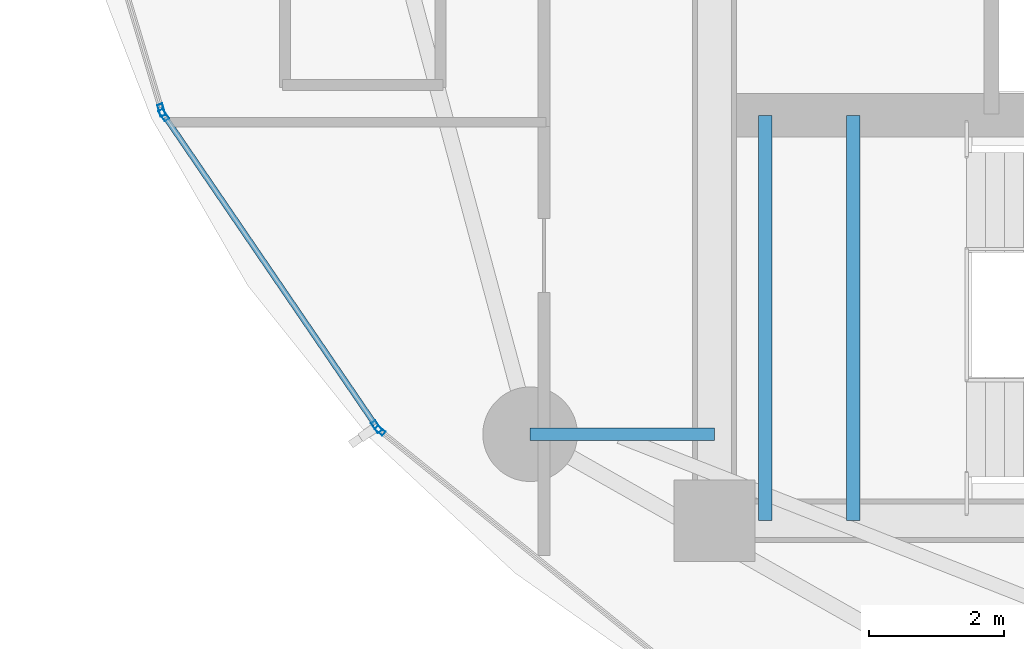
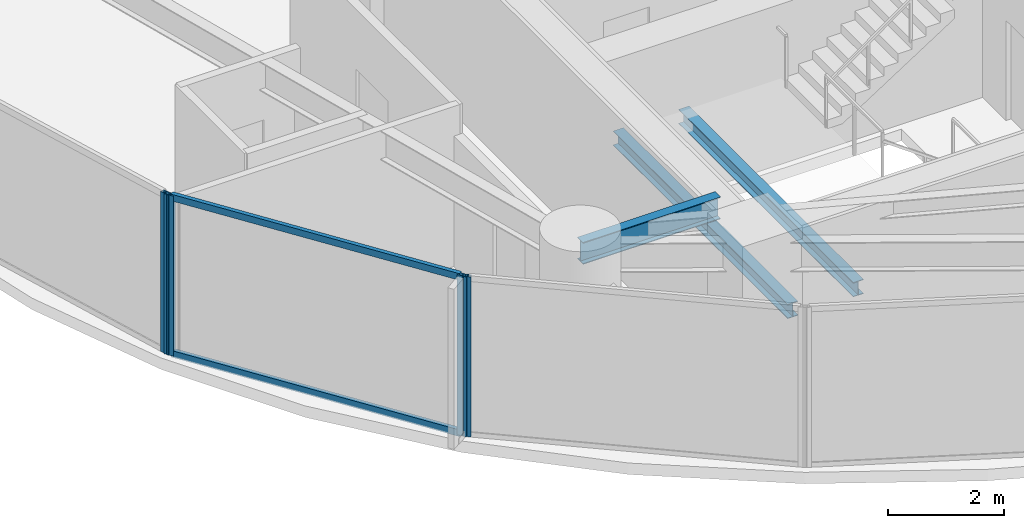
# One storey, part 3 of 30: 6 members, 3 beams, 3 elements without a shape of their own.
"""IFC4 building model written with IfcOpenShell, lengths in metres."""

from ifc_helpers import new_model, si_unit, direction, frame, origin, origin_2d, place, context, subcontext, project, spatial, hollow_rectangle, i_section, extrude, material, layer, layer_set, material_profile, profile_set, type_object, element, aggregate, save


model = new_model("IFC4")

# Units and contexts
model_context = context("Model", 3, precision=1e-05, world=origin(), true_north=direction((0.0, 1.0)))
body_context = subcontext(model_context, "Body", "Model", "MODEL_VIEW")
ifc_project = project(units=[si_unit("LENGTHUNIT", "METRE"), si_unit("AREAUNIT", "SQUARE_METRE"), si_unit("VOLUMEUNIT", "CUBIC_METRE"), si_unit("PLANEANGLEUNIT", "RADIAN"), si_unit("MASSUNIT", "GRAM", prefix="KILO")], contexts=[model_context])

# Site, building, storey
site_placement = place(None, origin())
site = spatial("IfcSite", under=ifc_project, at=site_placement, CompositionType="ELEMENT")
building_placement = place(site_placement, origin())
building = spatial("IfcBuilding", under=site, at=building_placement, Name="Kazevale Care Tower and Concert Hall", CompositionType="ELEMENT")
storey_placement = place(building_placement, frame((0.0, 0.0, 74.39990234375)))
storey = spatial("IfcBuildingStorey", under=building, at=storey_placement, Name="L19", CompositionType="ELEMENT", Elevation=74.39990234375)

# Curtain wall, members
ifc_material_1 = material(Name="Aluminium 6063-T6 and Low-E Glass", Category="aluminium")
ifc_layer_1 = layer(ifc_material_1, 0.179931640625)
ifc_layer_set_1 = layer_set([ifc_layer_1], Name="Aluminium 6063-T6 and Low-E Glass")
curtain_wall_type_1 = type_object("IfcCurtainWallType", Name="Waist & Upper Residential Curtain Wall CW-4", PredefinedType="NOTDEFINED", material=ifc_layer_set_1)
curtain_wall_1_placement = place(storey_placement, origin())
curtain_wall_1 = element("IfcCurtainWall", 1, at=curtain_wall_1_placement, inside=storey, type_object=curtain_wall_type_1, Name="cw:L19:f11", PredefinedType="NOTDEFINED")
ifc_material_2 = material(Name="Aluminium 6063-T6", Category="aluminium")
ifc_material_profile_1 = material_profile(ifc_material_2, hollow_rectangle(XDim=0.080078125, YDim=0.179931640625, WallThickness=0.0048828125, at=origin_2d()), Name="ALU80x180x5")
ifc_profile_set_1 = profile_set([ifc_material_profile_1], Name="Aluminium 6063-T6")
member_type_1 = type_object("IfcMemberType", Name="CW-4 Mullion ALU80x180x5", PredefinedType="MULLION", material=ifc_profile_set_1)
member_1_placement = place(storey_placement, frame((16.99853515625, 24.989990234375, 0.0), z_axis=(0.0, 0.0, 1.0), x_axis=(-0.826003329789, -0.563665236801, 0.0)))
member_1 = element("IfcMember", 2, at=member_1_placement, type_object=member_type_1, Name="CW-4 mullion 1", PredefinedType="MULLION", context=body_context, shape_type="SweptSolid", body=[
    extrude(hollow_rectangle(XDim=0.080078125, YDim=0.179931640625, WallThickness=0.0048828125, at=origin_2d()), origin(), (0.0, 0.0, 1.0), 3.360107421875),
])
member_2_placement = place(storey_placement, frame((13.8486328125, 29.60595703125, 0.0), z_axis=(0.0, 0.0, 1.0), x_axis=(-0.826003329789, -0.563665236801, 0.0)))
member_2 = element("IfcMember", 3, at=member_2_placement, type_object=member_type_1, Name="CW-4 mullion 2", PredefinedType="MULLION", context=body_context, shape_type="SweptSolid", body=[
    extrude(hollow_rectangle(XDim=0.080078125, YDim=0.179931640625, WallThickness=0.0048828125, at=origin_2d()), origin(), (0.0, 0.0, 1.0), 3.360107421875),
])

# Curtain wall, member
curtain_wall_2_placement = place(storey_placement, origin())
curtain_wall_2 = element("IfcCurtainWall", 4, at=curtain_wall_2_placement, inside=storey, type_object=curtain_wall_type_1, Name="cw:L19:f12", PredefinedType="NOTDEFINED")
member_3_placement = place(storey_placement, frame((13.814453125, 29.67724609375, 0.0), z_axis=(0.0, 0.0, 1.0), x_axis=(-0.957661755703, -0.287895747909, 0.0)))
member_3 = element("IfcMember", 5, at=member_3_placement, type_object=member_type_1, Name="CW-4 mullion 1", PredefinedType="MULLION", context=body_context, shape_type="SweptSolid", body=[
    extrude(hollow_rectangle(XDim=0.080078125, YDim=0.179931640625, WallThickness=0.0048828125, at=origin_2d()), origin(), (0.0, 0.0, 1.0), 3.360107421875),
])
aggregate(curtain_wall_2, [member_3])

# Member
ifc_material_profile_2 = material_profile(ifc_material_2, hollow_rectangle(XDim=0.080078125, YDim=0.139892578125, WallThickness=0.00390625, at=origin_2d()), Name="ALU80x140x4")
ifc_profile_set_2 = profile_set([ifc_material_profile_2], Name="Aluminium 6063-T6")
member_type_2 = type_object("IfcMemberType", Name="CW-4 Transom ALU80x140x4", PredefinedType="USERDEFINED", material=ifc_profile_set_2)
member_4_placement = place(storey_placement, frame((16.975830078125, 25.023193359375, 0.0400390625), z_axis=(-0.56365860987, 0.826007851972, 0.0), x_axis=(-0.826007851972, -0.56365860987, 0.0)))
member_4 = element("IfcMember", 6, at=member_4_placement, type_object=member_type_2, Name="CW-4 transom 1.1", ObjectType="TRANSOM", PredefinedType="USERDEFINED", context=body_context, shape_type="SweptSolid", body=[
    extrude(hollow_rectangle(XDim=0.080078125, YDim=0.139892578125, WallThickness=0.00390625, at=origin_2d()), origin(), (0.0, 0.0, 1.0), 5.50830078125),
])

member_5_placement = place(storey_placement, frame((16.975830078125, 25.023193359375, 3.320068359375), z_axis=(-0.56365860987, 0.826007851972, 0.0), x_axis=(-0.826007851972, -0.56365860987, 0.0)))
member_5 = element("IfcMember", 7, at=member_5_placement, type_object=member_type_2, Name="CW-4 transom 1.2", ObjectType="TRANSOM", PredefinedType="USERDEFINED", context=body_context, shape_type="SweptSolid", body=[
    extrude(hollow_rectangle(XDim=0.080078125, YDim=0.139892578125, WallThickness=0.00390625, at=origin_2d()), origin(), (0.0, 0.0, 1.0), 5.50830078125),
])

aggregate(curtain_wall_1, [member_1, member_2, member_4, member_5])

# Curtain wall, member
ifc_layer_2 = layer(ifc_material_1, 0.179931640625)
ifc_layer_set_2 = layer_set([ifc_layer_2], Name="Aluminium 6063-T6 and Low-E Glass")
curtain_wall_type_2 = type_object("IfcCurtainWallType", Name="Sheltered Concave Balcony Curtain Wall CW-5", PredefinedType="NOTDEFINED", material=ifc_layer_set_2)
curtain_wall_3_placement = place(storey_placement, origin())
curtain_wall_3 = element("IfcCurtainWall", 8, at=curtain_wall_3_placement, inside=storey, type_object=curtain_wall_type_2, Name="cw:L19:f10", PredefinedType="NOTDEFINED")
ifc_material_profile_3 = material_profile(ifc_material_2, hollow_rectangle(XDim=0.074951171875, YDim=0.14990234375, WallThickness=0.00390625, at=origin_2d()), Name="ALU75x150x4")
ifc_profile_set_3 = profile_set([ifc_material_profile_3], Name="Aluminium 6063-T6")
member_type_3 = type_object("IfcMemberType", Name="CW-5 Mullion ALU75x150x4", PredefinedType="MULLION", material=ifc_profile_set_3)
member_6_placement = place(storey_placement, frame((17.050048828125, 24.933349609375, 0.0), z_axis=(0.0, 0.0, 1.0), x_axis=(-0.629994732952, -0.77659940539, 0.0)))
member_6 = element("IfcMember", 9, at=member_6_placement, type_object=member_type_3, Name="CW-5 mullion 2", PredefinedType="MULLION", context=body_context, shape_type="SweptSolid", body=[
    extrude(hollow_rectangle(XDim=0.074951171875, YDim=0.14990234375, WallThickness=0.00390625, at=origin_2d()), origin(), (0.0, 0.0, 1.0), 3.360107421875),
])
aggregate(curtain_wall_3, [member_6])

# Beams
ifc_material_3 = material(Name="Steel ASTM A572 Gr 50", Category="steel")
ifc_material_profile_4 = material_profile(ifc_material_3, i_section(OverallWidth=0.19091796875, OverallDepth=0.4599609375, WebThickness=0.010009765625, FlangeThickness=0.01611328125, at=origin_2d()), Name="W460x82")
ifc_profile_set_4 = profile_set([ifc_material_profile_4], Name="Steel ASTM A572 Gr 50")
beam_type_1 = type_object("IfcBeamType", Name="Radial Floor Beam W460x82", PredefinedType="BEAM", material=ifc_profile_set_4)
beam_placement = place(storey_placement, frame((22.0, 24.8798828125, 3.130126953125), z_axis=(-1.0, 0.0, 0.0), x_axis=(0.0, -1.0, 0.0)))
element("IfcBeam", 10, at=beam_placement, inside=storey, type_object=beam_type_1, Name="beam:L19:rad:10", PredefinedType="BEAM", context=body_context, shape_type="SweptSolid", body=[
    extrude(i_section(OverallWidth=0.19091796875, OverallDepth=0.4599609375, WebThickness=0.010009765625, FlangeThickness=0.01611328125, at=origin_2d()), origin(), (0.0, 0.0, 1.0), 2.72998046875),
])
ifc_material_profile_5 = material_profile(ifc_material_3, i_section(OverallWidth=0.202880859375, OverallDepth=0.302978515625, WebThickness=0.007568359375, FlangeThickness=0.01318359375, at=origin_2d()), Name="W310x60")
ifc_profile_set_5 = profile_set([ifc_material_profile_5], Name="Steel ASTM A572 Gr 50")
beam_type_2 = type_object("IfcBeamType", Name="Stair & Balcony Trimmer W310x60", PredefinedType="BEAM", material=ifc_profile_set_5)
for number, where, z_axis, x_axis, name in (
    (11, (22.75, 23.60009765625, 1.448486328125), (0.0, 1.0, 0.0), (-1.0, 0.0, 0.0), "beam:L19:sttrim:ST1"),
    (12, (24.050048828125, 23.60009765625, 1.448486328125), (0.0, 1.0, 0.0), (-1.0, 0.0, 0.0), "beam:L19:sttrim:ST1b"),
):
    element("IfcBeam", number, at=place(storey_placement, frame(where, z_axis=z_axis, x_axis=x_axis)), inside=storey, type_object=beam_type_2, Name=name, PredefinedType="BEAM", context=body_context, shape_type="SweptSolid", body=[
        extrude(i_section(OverallWidth=0.202880859375, OverallDepth=0.302978515625, WebThickness=0.007568359375, FlangeThickness=0.01318359375, at=origin_2d()), origin(), (0.0, 0.0, 1.0), 6.0),
    ])

save(model, "model.ifc")
